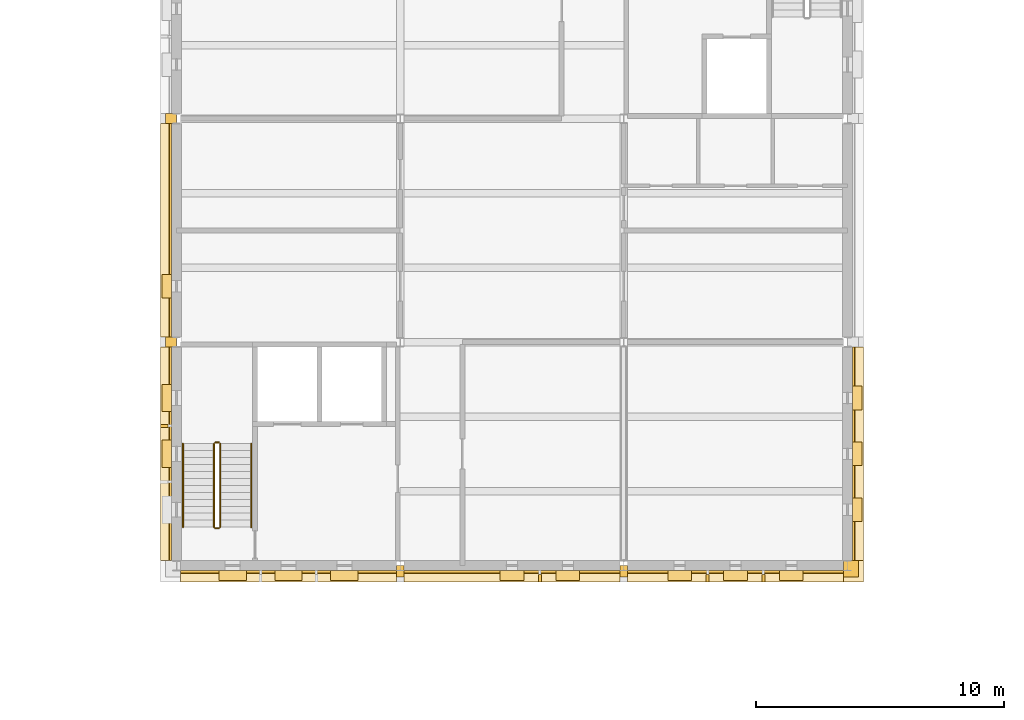
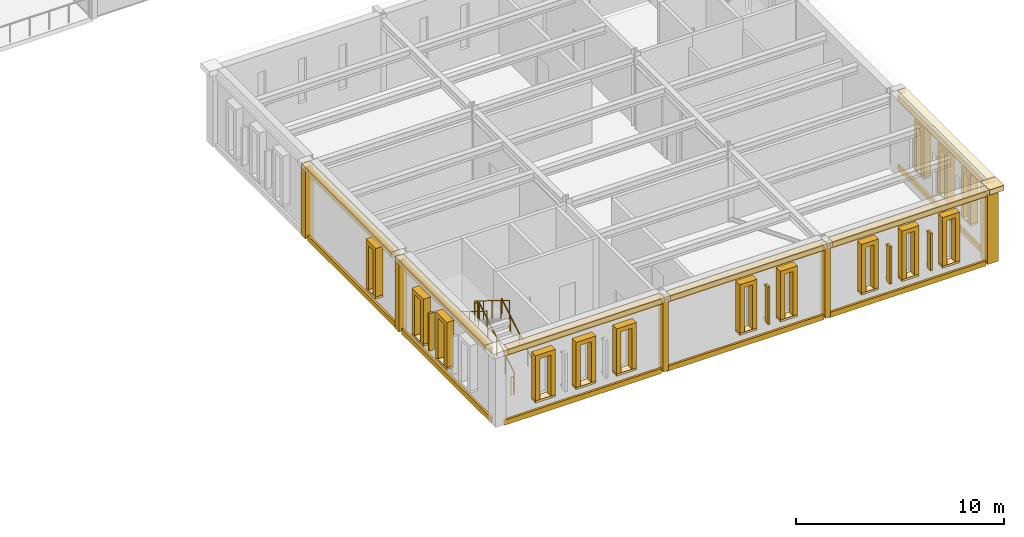
# One storey, part 63 of 70: 52 coverings, 6 railings, 4 shading devices.
"""IFC4 building model written with IfcOpenShell, lengths in metres."""

from ifc_helpers import new_model, si_unit, direction, frame, origin, origin_2d, place, context, subcontext, project, spatial, polyline, rectangle, circle, outline, extrude, material, layer, layer_set, type_object, element, save


model = new_model("IFC4")

# Units and contexts
model_context = context("Model", 3, precision=1e-05, world=origin(), true_north=direction((0.0, 1.0)))
body_context = subcontext(model_context, "Body", "Model", "MODEL_VIEW")
ifc_project = project(units=[si_unit("LENGTHUNIT", "METRE"), si_unit("AREAUNIT", "SQUARE_METRE"), si_unit("VOLUMEUNIT", "CUBIC_METRE"), si_unit("PLANEANGLEUNIT", "RADIAN"), si_unit("MASSUNIT", "GRAM", prefix="KILO")], contexts=[model_context])

# Site, building, storey
site_placement = place(None, origin())
site = spatial("IfcSite", under=ifc_project, at=site_placement, CompositionType="ELEMENT")
building_placement = place(site_placement, origin())
building = spatial("IfcBuilding", under=site, at=building_placement, Name="Kallimachos Central Library", CompositionType="ELEMENT")
storey_placement = place(building_placement, frame((0.0, 0.0, 18.89990234375)))
storey = spatial("IfcBuildingStorey", under=building, at=storey_placement, Name="L04", CompositionType="ELEMENT", Elevation=18.89990234375)

# Coverings
ifc_material_1 = material(Name="Glazed ceramic frieze, green")
ifc_layer_1 = layer(ifc_material_1, 0.10009765625)
ifc_layer_set_1 = layer_set([ifc_layer_1], Name="Glazed ceramic frieze, green")
covering_type_1 = type_object("IfcCoveringType", Name="Glazed ceramic frieze, green", PredefinedType="CLADDING", material=ifc_layer_set_1)
for number, where, z_axis, x_axis, name in (
    (1, (79.0, 17.75, 3.8798828125), (0.0, 0.0, 1.0), (1.0, 0.0, 0.0), "Glazed ceramic frieze, green -L04-010"),
    (2, (88.0, 17.75, 3.8798828125), (0.0, 0.0, 1.0), (1.0, 0.0, 0.0), "Glazed ceramic frieze, green -L04-011"),
    (3, (97.0, 17.75, 3.8798828125), (0.0, 0.0, 1.0), (1.0, 0.0, 0.0), "Glazed ceramic frieze, green -L04-012"),
):
    element("IfcCovering", number, at=place(storey_placement, frame(where, z_axis=z_axis, x_axis=x_axis)), inside=storey, type_object=covering_type_1, Name=name, PredefinedType="CLADDING", context=body_context, shape_type="SweptSolid", body=[
        extrude(rectangle(XDim=8.699951171875, YDim=0.10009765625, at=origin_2d()), origin(), (0.0, 0.0, 1.0), 0.300048828125),
    ])
for number, where, z_axis, x_axis, name in (
    (4, (74.25, 22.5, 3.8798828125), (0.0, 0.0, 1.0), (1.0, 0.0, 0.0), "Glazed ceramic frieze, green -L04-016"),
    (5, (74.25, 31.5, 3.8798828125), (0.0, 0.0, 1.0), (1.0, 0.0, 0.0), "Glazed ceramic frieze, green -L04-017"),
    (6, (101.75, 22.5, 3.8798828125), (0.0, 0.0, 1.0), (1.0, 0.0, 0.0), "Glazed ceramic frieze, green -L04-019"),
):
    element("IfcCovering", number, at=place(storey_placement, frame(where, z_axis=z_axis, x_axis=x_axis)), inside=storey, type_object=covering_type_1, Name=name, PredefinedType="CLADDING", context=body_context, shape_type="SweptSolid", body=[
        extrude(rectangle(XDim=0.10009765625, YDim=8.60009765625, at=origin_2d()), origin(), (0.0, 0.0, 1.0), 0.300048828125),
    ])

# Railings
ifc_material_2 = material(Name="Steel S355J2", Category="steel")
railing_type_1 = type_object("IfcRailingType", Name="Stair handrail 900", PredefinedType="HANDRAIL", material=ifc_material_2)
railing_1_placement = place(storey_placement, frame((77.5, 19.550048828125, 0.173095703125)))
element("IfcRailing", 7, at=railing_1_placement, inside=storey, type_object=railing_type_1, Name="L04 ST13 stair handrail 1", PredefinedType="HANDRAIL", context=body_context, shape_type="SweptSolid", body=[
    extrude(circle(Radius=0.02392578125, at=origin_2d()), frame((0.0, 0.0, 0.8759765625), z_axis=(0.0, 0.850606129759, 0.525803396734), x_axis=(-1.0, 0.0, 0.0)), (0.0, 0.0, 1.0), 3.949951171875),
    extrude(circle(Radius=0.02099609375, at=origin_2d()), origin(), (0.0, 0.0, 1.0), 0.851806640625),
    extrude(circle(Radius=0.02099609375, at=origin_2d()), frame((0.0, 0.83984375, 0.519287109375)), (0.0, 0.0, 1.0), 0.851806640625),
    extrude(circle(Radius=0.02099609375, at=origin_2d()), frame((0.0, 1.679931640625, 1.03857421875)), (0.0, 0.0, 1.0), 0.851806640625),
    extrude(circle(Radius=0.02099609375, at=origin_2d()), frame((0.0, 2.52001953125, 1.5576171875)), (0.0, 0.0, 1.0), 0.851806640625),
    extrude(circle(Radius=0.02099609375, at=origin_2d()), frame((0.0, 3.35986328125, 2.076904296875)), (0.0, 0.0, 1.0), 0.851806640625),
])
railing_2_placement = place(storey_placement, frame((74.75, 22.909912109375, 2.423095703125)))
element("IfcRailing", 8, at=railing_2_placement, inside=storey, type_object=railing_type_1, Name="L04 ST13 stair handrail 2", PredefinedType="HANDRAIL", context=body_context, shape_type="SweptSolid", body=[
    extrude(circle(Radius=0.02392578125, at=origin_2d()), frame((0.0, 0.0, 0.8759765625), z_axis=(0.0, -0.850606129759, 0.525803396734), x_axis=(1.0, 0.0, 0.0)), (0.0, 0.0, 1.0), 3.949951171875),
    extrude(circle(Radius=0.02099609375, at=origin_2d()), origin(), (0.0, 0.0, 1.0), 0.851806640625),
    extrude(circle(Radius=0.02099609375, at=origin_2d()), frame((0.0, -0.83984375, 0.519287109375)), (0.0, 0.0, 1.0), 0.851806640625),
    extrude(circle(Radius=0.02099609375, at=origin_2d()), frame((0.0, -1.679931640625, 1.03857421875)), (0.0, 0.0, 1.0), 0.851806640625),
    extrude(circle(Radius=0.02099609375, at=origin_2d()), frame((0.0, -2.52001953125, 1.5576171875)), (0.0, 0.0, 1.0), 0.851806640625),
    extrude(circle(Radius=0.02099609375, at=origin_2d()), frame((0.0, -3.35986328125, 2.076904296875)), (0.0, 0.0, 1.0), 0.851806640625),
])

# Coverings
ifc_material_3 = material(Name="Pentelic marble attic moulding", Category="masonry")
ifc_layer_2 = layer(ifc_material_3, 0.1201171875)
ifc_layer_set_2 = layer_set([ifc_layer_2], Name="Stone attic moulding 300")
covering_type_2 = type_object("IfcCoveringType", Name="Stone attic moulding 300", PredefinedType="MOLDING", material=ifc_layer_set_2)
for number, where, z_axis, x_axis, name in (
    (9, (79.0, 17.739990234375, -0.14990234375), (0.0, 0.0, 1.0), (1.0, 0.0, 0.0), "Stone attic moulding 300 -L04-010"),
    (10, (88.0, 17.739990234375, -0.14990234375), (0.0, 0.0, 1.0), (1.0, 0.0, 0.0), "Stone attic moulding 300 -L04-011"),
    (11, (97.0, 17.739990234375, -0.14990234375), (0.0, 0.0, 1.0), (1.0, 0.0, 0.0), "Stone attic moulding 300 -L04-012"),
):
    element("IfcCovering", number, at=place(storey_placement, frame(where, z_axis=z_axis, x_axis=x_axis)), inside=storey, type_object=covering_type_2, Name=name, PredefinedType="MOLDING", context=body_context, shape_type="SweptSolid", body=[
        extrude(rectangle(XDim=8.699951171875, YDim=0.1201171875, at=origin_2d()), origin(), (0.0, 0.0, 1.0), 0.300048828125),
    ])
for number, where, z_axis, x_axis, name in (
    (12, (74.239990234375, 22.5, -0.14990234375), (0.0, 0.0, 1.0), (1.0, 0.0, 0.0), "Stone attic moulding 300 -L04-016"),
    (13, (74.239990234375, 31.5, -0.14990234375), (0.0, 0.0, 1.0), (1.0, 0.0, 0.0), "Stone attic moulding 300 -L04-017"),
    (14, (101.760009765625, 22.5, -0.14990234375), (0.0, 0.0, 1.0), (1.0, 0.0, 0.0), "Stone attic moulding 300 -L04-019"),
):
    element("IfcCovering", number, at=place(storey_placement, frame(where, z_axis=z_axis, x_axis=x_axis)), inside=storey, type_object=covering_type_2, Name=name, PredefinedType="MOLDING", context=body_context, shape_type="SweptSolid", body=[
        extrude(rectangle(XDim=0.1201171875, YDim=8.60009765625, at=origin_2d()), origin(), (0.0, 0.0, 1.0), 0.300048828125),
    ])
ifc_material_4 = material(Name="Pentelic marble cornice", Category="masonry")
ifc_layer_3 = layer(ifc_material_4, 0.449951171875)
ifc_layer_set_3 = layer_set([ifc_layer_3], Name="Stone cornice 450")
covering_type_3 = type_object("IfcCoveringType", Name="Stone cornice 450", PredefinedType="MOLDING", material=ifc_layer_set_3)
for number, where, z_axis, x_axis, name in (
    (15, (79.0, 17.574951171875, 4.2001953125), (0.0, 0.0, 1.0), (1.0, 0.0, 0.0), "Stone cornice 450 -L04-010"),
    (16, (88.0, 17.574951171875, 4.2001953125), (0.0, 0.0, 1.0), (1.0, 0.0, 0.0), "Stone cornice 450 -L04-011"),
    (17, (97.0, 17.574951171875, 4.2001953125), (0.0, 0.0, 1.0), (1.0, 0.0, 0.0), "Stone cornice 450 -L04-012"),
):
    element("IfcCovering", number, at=place(storey_placement, frame(where, z_axis=z_axis, x_axis=x_axis)), inside=storey, type_object=covering_type_3, Name=name, PredefinedType="MOLDING", context=body_context, shape_type="SweptSolid", body=[
        extrude(rectangle(XDim=8.699951171875, YDim=0.449951171875, at=origin_2d()), origin(), (0.0, 0.0, 1.0), 0.300048828125),
    ])
for number, where, z_axis, x_axis, name in (
    (18, (74.074951171875, 22.5, 4.2001953125), (0.0, 0.0, 1.0), (1.0, 0.0, 0.0), "Stone cornice 450 -L04-016"),
    (19, (74.074951171875, 31.5, 4.2001953125), (0.0, 0.0, 1.0), (1.0, 0.0, 0.0), "Stone cornice 450 -L04-017"),
    (20, (101.925048828125, 22.5, 4.2001953125), (0.0, 0.0, 1.0), (1.0, 0.0, 0.0), "Stone cornice 450 -L04-019"),
):
    element("IfcCovering", number, at=place(storey_placement, frame(where, z_axis=z_axis, x_axis=x_axis)), inside=storey, type_object=covering_type_3, Name=name, PredefinedType="MOLDING", context=body_context, shape_type="SweptSolid", body=[
        extrude(rectangle(XDim=0.449951171875, YDim=8.60009765625, at=origin_2d()), origin(), (0.0, 0.0, 1.0), 0.300048828125),
    ])
covering_1_placement = place(storey_placement, frame((101.75, 17.77490234375, 4.2001953125), z_axis=(0.0, 0.0, 1.0), x_axis=(1.0, 0.0, 0.0)))
element("IfcCovering", 21, at=covering_1_placement, inside=storey, type_object=covering_type_3, Name="Stone cornice 450 corner", PredefinedType="MOLDING", context=body_context, shape_type="SweptSolid", body=[
    extrude(rectangle(XDim=0.800048828125, YDim=0.85009765625, at=origin_2d()), origin(), (0.0, 0.0, 1.0), 0.300048828125),
])
ifc_material_5 = material(Name="Pentelic marble pilaster", Category="masonry")
ifc_layer_4 = layer(ifc_material_5, 0.25)
ifc_layer_set_4 = layer_set([ifc_layer_4], Name="Stone pilaster 250")
covering_type_4 = type_object("IfcCoveringType", Name="Stone pilaster 250", PredefinedType="CLADDING", material=ifc_layer_set_4)
for number, where, z_axis, x_axis, name in (
    (22, (83.5, 17.77490234375, 0.0), (0.0, 0.0, 1.0), (1.0, 0.0, 0.0), "Stone pilaster 250 -L04-010"),
    (23, (92.5, 17.77490234375, 0.0), (0.0, 0.0, 1.0), (1.0, 0.0, 0.0), "Stone pilaster 250 -L04-011"),
):
    element("IfcCovering", number, at=place(storey_placement, frame(where, z_axis=z_axis, x_axis=x_axis)), inside=storey, type_object=covering_type_4, Name=name, PredefinedType="CLADDING", context=body_context, shape_type="SweptSolid", body=[
        extrude(rectangle(XDim=0.300048828125, YDim=0.449951171875, at=origin_2d()), origin(), (0.0, 0.0, 1.0), 4.199951171875),
    ])
for number, where, z_axis, x_axis, name in (
    (24, (74.27490234375, 27.0, 0.0), (0.0, 0.0, 1.0), (1.0, 0.0, 0.0), "Stone pilaster 250 -L04-016"),
    (25, (74.27490234375, 36.0, 0.0), (0.0, 0.0, 1.0), (1.0, 0.0, 0.0), "Stone pilaster 250 -L04-017"),
):
    element("IfcCovering", number, at=place(storey_placement, frame(where, z_axis=z_axis, x_axis=x_axis)), inside=storey, type_object=covering_type_4, Name=name, PredefinedType="CLADDING", context=body_context, shape_type="SweptSolid", body=[
        extrude(rectangle(XDim=0.449951171875, YDim=0.39990234375, at=origin_2d()), origin(), (0.0, 0.0, 1.0), 4.199951171875),
    ])
covering_2_placement = place(storey_placement, frame((101.64990234375, 17.875, 0.0), z_axis=(0.0, 0.0, 1.0), x_axis=(1.0, 0.0, 0.0)))
element("IfcCovering", 26, at=covering_2_placement, inside=storey, type_object=covering_type_4, Name="Stone pilaster 250 corner", PredefinedType="CLADDING", context=body_context, shape_type="SweptSolid", body=[
    extrude(rectangle(XDim=0.60009765625, YDim=0.64990234375, at=origin_2d()), origin(), (0.0, 0.0, 1.0), 4.199951171875),
])

# Shading devices
ifc_material_6 = material(Name="Pentelic marble fin", Category="masonry")
ifc_layer_5 = layer(ifc_material_6, 0.1201171875)
ifc_layer_set_5 = layer_set([ifc_layer_5], Name="Stone sun-shade fin 120")
shading_device_type = type_object("IfcShadingDeviceType", Name="Stone sun-shade fin 120", PredefinedType="USERDEFINED", material=ifc_layer_set_5)
for number, where, z_axis, x_axis, name in (
    (27, (89.125, 17.5, 0.89990234375), (0.0, 0.0, 1.0), (1.0, 0.0, 0.0), "Stone sun-shade fin 120 -L04-011"),
    (28, (95.875, 17.5, 0.89990234375), (0.0, 0.0, 1.0), (1.0, 0.0, 0.0), "Stone sun-shade fin 120 -L04-012"),
    (29, (98.125, 17.5, 0.89990234375), (0.0, 0.0, 1.0), (1.0, 0.0, 0.0), "Stone sun-shade fin 120 -L04-012"),
):
    element("IfcShadingDevice", number, at=place(storey_placement, frame(where, z_axis=z_axis, x_axis=x_axis)), inside=storey, type_object=shading_device_type, Name=name, ObjectType="FIN", PredefinedType="USERDEFINED", context=body_context, shape_type="SweptSolid", body=[
        extrude(rectangle(XDim=0.1201171875, YDim=0.300048828125, at=origin_2d()), origin(), (0.0, 0.0, 1.0), 2.199951171875),
    ])
shading_device_placement = place(storey_placement, frame((74.0, 23.625, 0.89990234375), z_axis=(0.0, 0.0, 1.0), x_axis=(1.0, 0.0, 0.0)))
element("IfcShadingDevice", 30, at=shading_device_placement, inside=storey, type_object=shading_device_type, Name="Stone sun-shade fin 120 -L04-016", ObjectType="FIN", PredefinedType="USERDEFINED", context=body_context, shape_type="SweptSolid", body=[
    extrude(rectangle(XDim=0.300048828125, YDim=0.1201171875, at=origin_2d()), origin(), (0.0, 0.0, 1.0), 2.199951171875),
])

# Coverings
ifc_material_7 = material(Name="Pentelic marble window sill", Category="masonry")
ifc_layer_6 = layer(ifc_material_7, 0.39990234375)
ifc_layer_set_6 = layer_set([ifc_layer_6], Name="Tower window sill block 400")
covering_type_5 = type_object("IfcCoveringType", Name="Tower window sill block 400", PredefinedType="MOLDING", material=ifc_layer_set_6)
for number, where, z_axis, x_axis, name in (
    (31, (76.75, 17.60009765625, 0.780029296875), (0.0, 0.0, 1.0), (1.0, 0.0, 0.0), "Tower window sill block"),
    (32, (79.0, 17.60009765625, 0.780029296875), (0.0, 0.0, 1.0), (1.0, 0.0, 0.0), "Tower window sill block"),
    (33, (81.25, 17.60009765625, 0.780029296875), (0.0, 0.0, 1.0), (1.0, 0.0, 0.0), "Tower window sill block"),
):
    element("IfcCovering", number, at=place(storey_placement, frame(where, z_axis=z_axis, x_axis=x_axis)), inside=storey, type_object=covering_type_5, Name=name, PredefinedType="MOLDING", context=body_context, shape_type="SweptSolid", body=[
        extrude(rectangle(XDim=1.10009765625, YDim=0.39990234375, at=origin_2d()), origin(), (0.0, 0.0, 1.0), 0.1201171875),
    ])
for number, where, z_axis, x_axis, name in (
    (34, (88.0, 17.60009765625, 0.780029296875), (0.0, 0.0, 1.0), (1.0, 0.0, 0.0), "Tower window sill block"),
    (35, (90.25, 17.60009765625, 0.780029296875), (0.0, 0.0, 1.0), (1.0, 0.0, 0.0), "Tower window sill block"),
    (36, (94.75, 17.60009765625, 0.780029296875), (0.0, 0.0, 1.0), (1.0, 0.0, 0.0), "Tower window sill block"),
    (37, (97.0, 17.60009765625, 0.780029296875), (0.0, 0.0, 1.0), (1.0, 0.0, 0.0), "Tower window sill block"),
    (38, (99.25, 17.60009765625, 0.780029296875), (0.0, 0.0, 1.0), (1.0, 0.0, 0.0), "Tower window sill block"),
):
    element("IfcCovering", number, at=place(storey_placement, frame(where, z_axis=z_axis, x_axis=x_axis)), inside=storey, type_object=covering_type_5, Name=name, PredefinedType="MOLDING", context=body_context, shape_type="SweptSolid", body=[
        extrude(rectangle(XDim=0.949951171875, YDim=0.39990234375, at=origin_2d()), origin(), (0.0, 0.0, 1.0), 0.1201171875),
    ])
for number, where, z_axis, x_axis, name in (
    (39, (74.10009765625, 22.5, 0.780029296875), (0.0, 0.0, 1.0), (1.0, 0.0, 0.0), "Tower window sill block"),
    (40, (74.10009765625, 24.75, 0.780029296875), (0.0, 0.0, 1.0), (1.0, 0.0, 0.0), "Tower window sill block"),
):
    element("IfcCovering", number, at=place(storey_placement, frame(where, z_axis=z_axis, x_axis=x_axis)), inside=storey, type_object=covering_type_5, Name=name, PredefinedType="MOLDING", context=body_context, shape_type="SweptSolid", body=[
        extrude(rectangle(XDim=0.39990234375, YDim=1.10009765625, at=origin_2d()), origin(), (0.0, 0.0, 1.0), 0.1201171875),
    ])
for number, where, z_axis, x_axis, name in (
    (41, (74.10009765625, 29.25, 0.780029296875), (0.0, 0.0, 1.0), (1.0, 0.0, 0.0), "Tower window sill block"),
    (42, (101.89990234375, 20.25, 0.780029296875), (0.0, 0.0, 1.0), (1.0, 0.0, 0.0), "Tower window sill block"),
    (43, (101.89990234375, 22.5, 0.780029296875), (0.0, 0.0, 1.0), (1.0, 0.0, 0.0), "Tower window sill block"),
    (44, (101.89990234375, 24.75, 0.780029296875), (0.0, 0.0, 1.0), (1.0, 0.0, 0.0), "Tower window sill block"),
):
    element("IfcCovering", number, at=place(storey_placement, frame(where, z_axis=z_axis, x_axis=x_axis)), inside=storey, type_object=covering_type_5, Name=name, PredefinedType="MOLDING", context=body_context, shape_type="SweptSolid", body=[
        extrude(rectangle(XDim=0.39990234375, YDim=0.949951171875, at=origin_2d()), origin(), (0.0, 0.0, 1.0), 0.1201171875),
    ])
ifc_material_8 = material(Name="Pentelic marble window surround", Category="masonry")
ifc_layer_7 = layer(ifc_material_8, 0.39990234375)
ifc_layer_set_7 = layer_set([ifc_layer_7], Name="Tower window surround 400")
covering_type_6 = type_object("IfcCoveringType", Name="Tower window surround 400", PredefinedType="MOLDING", material=ifc_layer_set_7)
for number, where, z_axis, x_axis, name in (
    (45, (76.449951171875, 17.39990234375, 0.900146484375), (0.0, -1.0, 0.0), (0.0, 0.0, 1.0), "Tower window surround -WIN-L04-001"),
    (46, (78.699951171875, 17.39990234375, 0.900146484375), (0.0, -1.0, 0.0), (0.0, 0.0, 1.0), "Tower window surround -WIN-L04-002"),
    (47, (80.949951171875, 17.39990234375, 0.900146484375), (0.0, -1.0, 0.0), (0.0, 0.0, 1.0), "Tower window surround -WIN-L04-003"),
):
    element("IfcCovering", number, at=place(storey_placement, frame(where, z_axis=z_axis, x_axis=x_axis)), inside=storey, type_object=covering_type_6, Name=name, PredefinedType="MOLDING", context=body_context, shape_type="SweptSolid", body=[
        extrude(outline(polyline([(0.0, 0.0), (2.39990234375, 0.0), (2.39990234375, -0.60009765625), (0.0, -0.60009765625), (0.0, -0.85009765625), (2.64990234375, -0.85009765625), (2.64990234375, 0.25), (0.0, 0.25), (0.0, 0.0)])), origin(), (0.0, 0.0, -1.0), 0.39990234375),
    ])
for number, where, z_axis, x_axis, name in (
    (48, (87.77490234375, 17.39990234375, 0.900146484375), (0.0, -1.0, 0.0), (0.0, 0.0, 1.0), "Tower window surround -WIN-L04-004"),
    (49, (90.02490234375, 17.39990234375, 0.900146484375), (0.0, -1.0, 0.0), (0.0, 0.0, 1.0), "Tower window surround -WIN-L04-005"),
    (50, (94.52490234375, 17.39990234375, 0.900146484375), (0.0, -1.0, 0.0), (0.0, 0.0, 1.0), "Tower window surround -WIN-L04-006"),
    (51, (96.77490234375, 17.39990234375, 0.900146484375), (0.0, -1.0, 0.0), (0.0, 0.0, 1.0), "Tower window surround -WIN-L04-007"),
    (52, (99.02490234375, 17.39990234375, 0.900146484375), (0.0, -1.0, 0.0), (0.0, 0.0, 1.0), "Tower window surround -WIN-L04-008"),
):
    element("IfcCovering", number, at=place(storey_placement, frame(where, z_axis=z_axis, x_axis=x_axis)), inside=storey, type_object=covering_type_6, Name=name, PredefinedType="MOLDING", context=body_context, shape_type="SweptSolid", body=[
        extrude(outline(polyline([(0.0, 0.0), (2.599853515625, 0.0), (2.599853515625, -0.4501953125), (0.0, -0.4501953125), (0.0, -0.7001953125), (2.849853515625, -0.7001953125), (2.849853515625, 0.25), (0.0, 0.25), (0.0, 0.0)])), origin(), (0.0, 0.0, -1.0), 0.39990234375),
    ])
for number, where, z_axis, x_axis, name in (
    (53, (73.89990234375, 21.949951171875, 0.900146484375), (-1.0, 0.0, 0.0), (0.0, 0.0, 1.0), "Tower window surround -WIN-L04-018"),
    (54, (73.89990234375, 24.199951171875, 0.900146484375), (-1.0, 0.0, 0.0), (0.0, 0.0, 1.0), "Tower window surround -WIN-L04-019"),
):
    element("IfcCovering", number, at=place(storey_placement, frame(where, z_axis=z_axis, x_axis=x_axis)), inside=storey, type_object=covering_type_6, Name=name, PredefinedType="MOLDING", context=body_context, shape_type="SweptSolid", body=[
        extrude(outline(polyline([(0.0, 0.0), (2.64990234375, 0.0), (2.64990234375, 1.10009765625), (0.0, 1.10009765625), (0.0, 0.85009765625), (2.39990234375, 0.85009765625), (2.39990234375, 0.25), (0.0, 0.25), (0.0, 0.0)])), origin(), (0.0, 0.0, -1.0), 0.39990234375),
    ])
covering_3_placement = place(storey_placement, frame((73.89990234375, 28.77490234375, 0.900146484375), z_axis=(-1.0, 0.0, 0.0), x_axis=(0.0, 0.0, 1.0)))
element("IfcCovering", 55, at=covering_3_placement, inside=storey, type_object=covering_type_6, Name="Tower window surround -WIN-L04-020", PredefinedType="MOLDING", context=body_context, shape_type="SweptSolid", body=[
    extrude(outline(polyline([(0.0, 0.0), (2.849853515625, 0.0), (2.849853515625, 0.9501953125), (0.0, 0.9501953125), (0.0, 0.7001953125), (2.599853515625, 0.7001953125), (2.599853515625, 0.25), (0.0, 0.25), (0.0, 0.0)])), origin(), (0.0, 0.0, -1.0), 0.39990234375),
])
for number, where, z_axis, x_axis, name in (
    (56, (102.10009765625, 20.02490234375, 0.900146484375), (1.0, 0.0, 0.0), (0.0, 0.0, 1.0), "Tower window surround -WIN-L04-024"),
    (57, (102.10009765625, 22.27490234375, 0.900146484375), (1.0, 0.0, 0.0), (0.0, 0.0, 1.0), "Tower window surround -WIN-L04-025"),
    (58, (102.10009765625, 24.52490234375, 0.900146484375), (1.0, 0.0, 0.0), (0.0, 0.0, 1.0), "Tower window surround -WIN-L04-026"),
):
    element("IfcCovering", number, at=place(storey_placement, frame(where, z_axis=z_axis, x_axis=x_axis)), inside=storey, type_object=covering_type_6, Name=name, PredefinedType="MOLDING", context=body_context, shape_type="SweptSolid", body=[
        extrude(outline(polyline([(0.0, 0.0), (2.599853515625, 0.0), (2.599853515625, -0.4501953125), (0.0, -0.4501953125), (0.0, -0.7001953125), (2.849853515625, -0.7001953125), (2.849853515625, 0.25), (0.0, 0.25), (0.0, 0.0)])), origin(), (0.0, 0.0, -1.0), 0.39990234375),
    ])

# Railings
ifc_material_9 = material(Name="Steel S355J2", Category="steel")
railing_type_2 = type_object("IfcRailingType", Name="Wrought-iron guard 1100", PredefinedType="GUARDRAIL", material=ifc_material_9)
railing_3_placement = place(storey_placement, frame((76.25, 19.550048828125, 0.173095703125)))
element("IfcRailing", 59, at=railing_3_placement, inside=storey, type_object=railing_type_2, Name="L04 ST13 stair guard 1", PredefinedType="GUARDRAIL", context=body_context, shape_type="SweptSolid", body=[
    extrude(circle(Radius=0.02392578125, at=origin_2d()), frame((0.0, 0.0, 1.076171875), z_axis=(0.0, 0.850606129759, 0.525803396734), x_axis=(-1.0, 0.0, 0.0)), (0.0, 0.0, 1.0), 3.949951171875),
    extrude(circle(Radius=0.02099609375, at=origin_2d()), origin(), (0.0, 0.0, 1.0), 1.052001953125),
    extrude(circle(Radius=0.02099609375, at=origin_2d()), frame((0.0, 0.83984375, 0.519287109375)), (0.0, 0.0, 1.0), 1.052001953125),
    extrude(circle(Radius=0.02099609375, at=origin_2d()), frame((0.0, 1.679931640625, 1.03857421875)), (0.0, 0.0, 1.0), 1.052001953125),
    extrude(circle(Radius=0.02099609375, at=origin_2d()), frame((0.0, 2.52001953125, 1.5576171875)), (0.0, 0.0, 1.0), 1.052001953125),
    extrude(circle(Radius=0.02099609375, at=origin_2d()), frame((0.0, 3.35986328125, 2.076904296875)), (0.0, 0.0, 1.0), 1.052001953125),
])
railing_4_placement = place(storey_placement, frame((76.199951171875, 22.9599609375, 2.25)))
element("IfcRailing", 60, at=railing_4_placement, inside=storey, type_object=railing_type_2, Name="L04 ST13 stair guard 2", PredefinedType="GUARDRAIL", context=body_context, shape_type="SweptSolid", body=[
    extrude(circle(Radius=0.02392578125, at=origin_2d()), frame((0.0, 0.0, 1.076171875), z_axis=(-1.0, 0.0, 0.0), x_axis=(0.0, -1.0, 0.0)), (0.0, 0.0, 1.0), 0.14990234375),
    extrude(circle(Radius=0.02099609375, at=origin_2d()), origin(), (0.0, 0.0, 1.0), 1.052001953125),
    extrude(circle(Radius=0.02099609375, at=origin_2d()), frame((-0.14990234375, 0.0, 0.0)), (0.0, 0.0, 1.0), 1.052001953125),
])
railing_5_placement = place(storey_placement, frame((76.0, 22.909912109375, 2.423095703125)))
element("IfcRailing", 61, at=railing_5_placement, inside=storey, type_object=railing_type_2, Name="L04 ST13 stair guard 3", PredefinedType="GUARDRAIL", context=body_context, shape_type="SweptSolid", body=[
    extrude(circle(Radius=0.02392578125, at=origin_2d()), frame((0.0, 0.0, 1.076171875), z_axis=(0.0, -0.850606129759, 0.525803396734), x_axis=(1.0, 0.0, 0.0)), (0.0, 0.0, 1.0), 3.949951171875),
    extrude(circle(Radius=0.02099609375, at=origin_2d()), origin(), (0.0, 0.0, 1.0), 1.052001953125),
    extrude(circle(Radius=0.02099609375, at=origin_2d()), frame((0.0, -0.83984375, 0.519287109375)), (0.0, 0.0, 1.0), 1.052001953125),
    extrude(circle(Radius=0.02099609375, at=origin_2d()), frame((0.0, -1.679931640625, 1.03857421875)), (0.0, 0.0, 1.0), 1.052001953125),
    extrude(circle(Radius=0.02099609375, at=origin_2d()), frame((0.0, -2.52001953125, 1.5576171875)), (0.0, 0.0, 1.0), 1.052001953125),
    extrude(circle(Radius=0.02099609375, at=origin_2d()), frame((0.0, -3.35986328125, 2.076904296875)), (0.0, 0.0, 1.0), 1.052001953125),
])
railing_6_placement = place(storey_placement, frame((76.199951171875, 19.5, 0.0)))
element("IfcRailing", 62, at=railing_6_placement, inside=storey, type_object=railing_type_2, Name="L04 ST13 stair guard 4", PredefinedType="GUARDRAIL", context=body_context, shape_type="SweptSolid", body=[
    extrude(circle(Radius=0.02392578125, at=origin_2d()), frame((0.0, 0.0, 1.076171875), z_axis=(-1.0, 0.0, 0.0), x_axis=(0.0, -1.0, 0.0)), (0.0, 0.0, 1.0), 0.14990234375),
    extrude(circle(Radius=0.02099609375, at=origin_2d()), origin(), (0.0, 0.0, 1.0), 1.052001953125),
    extrude(circle(Radius=0.02099609375, at=origin_2d()), frame((-0.14990234375, 0.0, 0.0)), (0.0, 0.0, 1.0), 1.052001953125),
])

save(model, "model.ifc")
